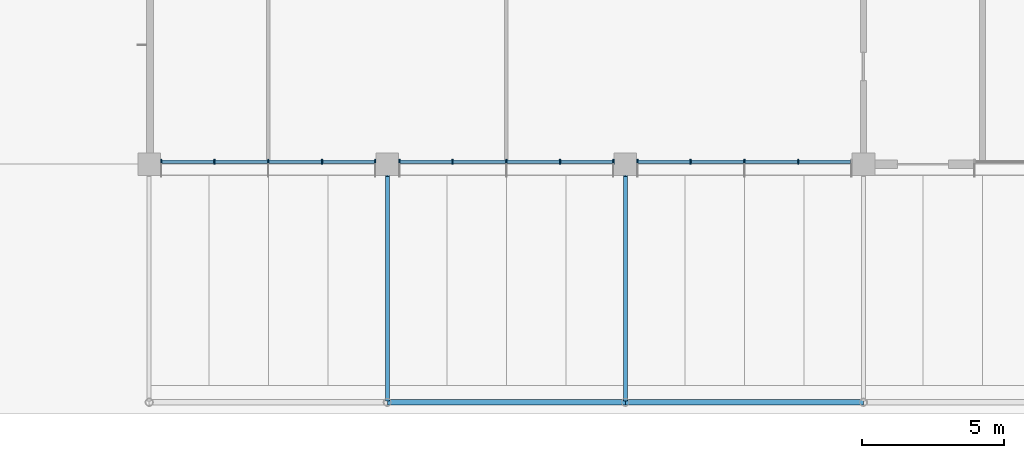
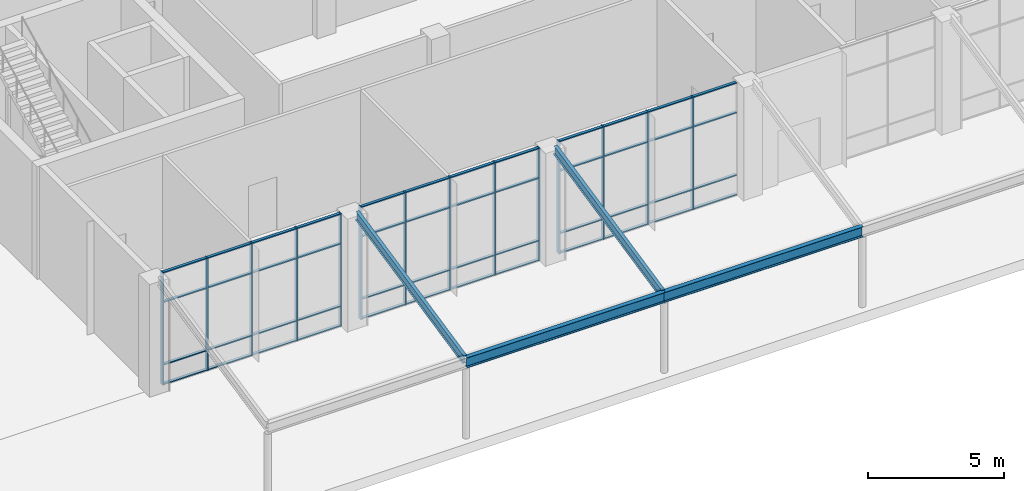
# One storey, part 15 of 76: 62 members, 4 beams, 3 elements without a shape of their own.
"""IFC4 building model written with IfcOpenShell, lengths in metres."""

from ifc_helpers import new_model, si_unit, direction, frame, origin, origin_2d, place, context, subcontext, project, spatial, rectangle, i_section, extrude, material, material_profile, profile_set, type_object, element, aggregate, save


model = new_model("IFC4")

# Units and contexts
model_context = context("Model", 3, precision=1e-05, world=origin(), true_north=direction((0.0, 1.0)))
body_context = subcontext(model_context, "Body", "Model", "MODEL_VIEW")
ifc_project = project(units=[si_unit("LENGTHUNIT", "METRE"), si_unit("AREAUNIT", "SQUARE_METRE"), si_unit("VOLUMEUNIT", "CUBIC_METRE"), si_unit("PLANEANGLEUNIT", "RADIAN"), si_unit("MASSUNIT", "GRAM", prefix="KILO")], contexts=[model_context])

# Site, building, storey
site_placement = place(None, origin())
site = spatial("IfcSite", under=ifc_project, at=site_placement, CompositionType="ELEMENT")
building_placement = place(site_placement, origin())
building = spatial("IfcBuilding", under=site, at=building_placement, Name="Hlaing Beacon Police Headquarters", CompositionType="ELEMENT")
storey_placement = place(building_placement, origin())
storey = spatial("IfcBuildingStorey", under=building, at=storey_placement, Name="L00", CompositionType="ELEMENT", Elevation=0.0)

# Beams
ifc_material_1 = material(Name="Steel ASTM A992 Grade 50", Category="steel")
ifc_material_profile_1 = material_profile(ifc_material_1, i_section(OverallWidth=0.1904296875, OverallDepth=0.457275390625, WebThickness=0.009033203125, FlangeThickness=0.014404296875, FilletRadius=0.01025390625, at=origin_2d()), Name="W18x50")
ifc_profile_set_1 = profile_set([ifc_material_profile_1], Name="Steel ASTM A992 Grade 50")
beam_type_1 = type_object("IfcBeamType", Name="Colonnade head beam W18x50", PredefinedType="BEAM", material=ifc_profile_set_1)
beam_1_placement = place(storey_placement, frame((16.800048828125, 0.0, 3.371337890625), z_axis=(1.0, 0.0, 0.0), x_axis=(0.0, 1.0, 0.0)))
element("IfcBeam", 1, at=beam_1_placement, inside=storey, type_object=beam_type_1, Name="STR-CL-CL1-HB02", PredefinedType="BEAM", context=body_context, shape_type="SweptSolid", body=[
    extrude(i_section(OverallWidth=0.1904296875, OverallDepth=0.457275390625, WebThickness=0.009033203125, FlangeThickness=0.014404296875, FilletRadius=0.01025390625, at=origin_2d()), origin(), (0.0, 0.0, 1.0), 8.39990234375),
])
beam_2_placement = place(storey_placement, frame((25.199951171875, 0.0, 3.371337890625), z_axis=(1.0, 0.0, 0.0), x_axis=(0.0, 1.0, 0.0)))
element("IfcBeam", 2, at=beam_2_placement, inside=storey, type_object=beam_type_1, Name="STR-CL-CL1-HB03", PredefinedType="BEAM", context=body_context, shape_type="SweptSolid", body=[
    extrude(i_section(OverallWidth=0.1904296875, OverallDepth=0.457275390625, WebThickness=0.009033203125, FlangeThickness=0.014404296875, FilletRadius=0.01025390625, at=origin_2d()), origin(), (0.0, 0.0, 1.0), 8.400146484375),
])
ifc_material_2 = material(Name="Steel ASTM A992 Grade 50", Category="steel")
ifc_material_profile_2 = material_profile(ifc_material_2, i_section(OverallWidth=0.140380859375, OverallDepth=0.40380859375, WebThickness=0.007080078125, FlangeThickness=0.01123046875, FilletRadius=0.01025390625, at=origin_2d()), Name="W16x31")
ifc_profile_set_2 = profile_set([ifc_material_profile_2], Name="Steel ASTM A992 Grade 50")
beam_type_2 = type_object("IfcBeamType", Name="Colonnade rafter W16x31", PredefinedType="BEAM", material=ifc_profile_set_2)
for number, where, z_axis, x_axis, name in (
    (3, (16.800048828125, 0.09521484375, 3.413818359375), (0.0, 0.97779711045, 0.209553837464), (-1.0, 0.0, 0.0), "STR-CL-CL1-RF02"),
    (4, (25.199951171875, 0.09521484375, 3.413818359375), (0.0, 0.97779711045, 0.209553837464), (-1.0, 0.0, 0.0), "STR-CL-CL1-RF03"),
):
    element("IfcBeam", number, at=place(storey_placement, frame(where, z_axis=z_axis, x_axis=x_axis)), inside=storey, type_object=beam_type_2, Name=name, PredefinedType="BEAM", context=body_context, shape_type="SweptSolid", body=[
        extrude(i_section(OverallWidth=0.140380859375, OverallDepth=0.40380859375, WebThickness=0.007080078125, FlangeThickness=0.01123046875, FilletRadius=0.01025390625, at=origin_2d()), origin(), (0.0, 0.0, 1.0), 8.084228515625),
    ])

# Curtain wall, members
ifc_material_3 = material(Name="Aluminium frame with solar control glazing", Category="aluminium")
curtain_wall_type = type_object("IfcCurtainWallType", Name="Shopfront glazing 7.60 x 5.05", PredefinedType="NOTDEFINED", material=ifc_material_3)
curtain_wall_1_placement = place(storey_placement, origin())
curtain_wall_1 = element("IfcCurtainWall", 5, at=curtain_wall_1_placement, inside=storey, type_object=curtain_wall_type, Name="ENV-CW-L00-S003", PredefinedType="NOTDEFINED")
ifc_material_4 = material(Name="Aluminium", Category="aluminium")
ifc_material_profile_3 = material_profile(ifc_material_4, rectangle(XDim=0.179931640625, YDim=0.050048828125, at=origin_2d()), Name="Mullion 50x180")
ifc_profile_set_3 = profile_set([ifc_material_profile_3], Name="Aluminium")
member_type_1 = type_object("IfcMemberType", Name="Mullion 50x180", PredefinedType="MULLION", material=ifc_profile_set_3)
member_1_placement = place(storey_placement, frame((8.824951171875, 8.489990234375, 0.0), z_axis=(0.0, 0.0, 1.0), x_axis=(0.0, 1.0, 0.0)))
member_1 = element("IfcMember", 6, at=member_1_placement, type_object=member_type_1, Name="CW-L00-S003 mullion 1", PredefinedType="MULLION", context=body_context, shape_type="SweptSolid", body=[
    extrude(rectangle(XDim=0.179931640625, YDim=0.050048828125, at=origin_2d()), origin(), (0.0, 0.0, 1.0), 5.050048828125),
])
member_2_placement = place(storey_placement, frame((10.699951171875, 8.489990234375, 0.0), z_axis=(0.0, 0.0, 1.0), x_axis=(0.0, 1.0, 0.0)))
member_2 = element("IfcMember", 7, at=member_2_placement, type_object=member_type_1, Name="CW-L00-S003 mullion 2", PredefinedType="MULLION", context=body_context, shape_type="SweptSolid", body=[
    extrude(rectangle(XDim=0.179931640625, YDim=0.050048828125, at=origin_2d()), origin(), (0.0, 0.0, 1.0), 5.050048828125),
])
member_3_placement = place(storey_placement, frame((12.60009765625, 8.489990234375, 0.0), z_axis=(0.0, 0.0, 1.0), x_axis=(0.0, 1.0, 0.0)))
member_3 = element("IfcMember", 8, at=member_3_placement, type_object=member_type_1, Name="CW-L00-S003 mullion 3", PredefinedType="MULLION", context=body_context, shape_type="SweptSolid", body=[
    extrude(rectangle(XDim=0.179931640625, YDim=0.050048828125, at=origin_2d()), origin(), (0.0, 0.0, 1.0), 5.050048828125),
])
member_4_placement = place(storey_placement, frame((14.5, 8.489990234375, 0.0), z_axis=(0.0, 0.0, 1.0), x_axis=(0.0, 1.0, 0.0)))
member_4 = element("IfcMember", 9, at=member_4_placement, type_object=member_type_1, Name="CW-L00-S003 mullion 4", PredefinedType="MULLION", context=body_context, shape_type="SweptSolid", body=[
    extrude(rectangle(XDim=0.179931640625, YDim=0.050048828125, at=origin_2d()), origin(), (0.0, 0.0, 1.0), 5.050048828125),
])
member_5_placement = place(storey_placement, frame((16.375, 8.489990234375, 0.0), z_axis=(0.0, 0.0, 1.0), x_axis=(0.0, 1.0, 0.0)))
member_5 = element("IfcMember", 10, at=member_5_placement, type_object=member_type_1, Name="CW-L00-S003 mullion 5", PredefinedType="MULLION", context=body_context, shape_type="SweptSolid", body=[
    extrude(rectangle(XDim=0.179931640625, YDim=0.050048828125, at=origin_2d()), origin(), (0.0, 0.0, 1.0), 5.050048828125),
])

curtain_wall_2_placement = place(storey_placement, origin())
curtain_wall_2 = element("IfcCurtainWall", 11, at=curtain_wall_2_placement, inside=storey, type_object=curtain_wall_type, Name="ENV-CW-L00-S004", PredefinedType="NOTDEFINED")
member_6_placement = place(storey_placement, frame((17.22509765625, 8.489990234375, 0.0), z_axis=(0.0, 0.0, 1.0), x_axis=(0.0, 1.0, 0.0)))
member_6 = element("IfcMember", 12, at=member_6_placement, type_object=member_type_1, Name="CW-L00-S004 mullion 1", PredefinedType="MULLION", context=body_context, shape_type="SweptSolid", body=[
    extrude(rectangle(XDim=0.179931640625, YDim=0.050048828125, at=origin_2d()), origin(), (0.0, 0.0, 1.0), 5.050048828125),
])
member_7_placement = place(storey_placement, frame((19.10009765625, 8.489990234375, 0.0), z_axis=(0.0, 0.0, 1.0), x_axis=(0.0, 1.0, 0.0)))
member_7 = element("IfcMember", 13, at=member_7_placement, type_object=member_type_1, Name="CW-L00-S004 mullion 2", PredefinedType="MULLION", context=body_context, shape_type="SweptSolid", body=[
    extrude(rectangle(XDim=0.179931640625, YDim=0.050048828125, at=origin_2d()), origin(), (0.0, 0.0, 1.0), 5.050048828125),
])
member_8_placement = place(storey_placement, frame((21.0, 8.489990234375, 0.0), z_axis=(0.0, 0.0, 1.0), x_axis=(0.0, 1.0, 0.0)))
member_8 = element("IfcMember", 14, at=member_8_placement, type_object=member_type_1, Name="CW-L00-S004 mullion 3", PredefinedType="MULLION", context=body_context, shape_type="SweptSolid", body=[
    extrude(rectangle(XDim=0.179931640625, YDim=0.050048828125, at=origin_2d()), origin(), (0.0, 0.0, 1.0), 5.050048828125),
])
member_9_placement = place(storey_placement, frame((22.89990234375, 8.489990234375, 0.0), z_axis=(0.0, 0.0, 1.0), x_axis=(0.0, 1.0, 0.0)))
member_9 = element("IfcMember", 15, at=member_9_placement, type_object=member_type_1, Name="CW-L00-S004 mullion 4", PredefinedType="MULLION", context=body_context, shape_type="SweptSolid", body=[
    extrude(rectangle(XDim=0.179931640625, YDim=0.050048828125, at=origin_2d()), origin(), (0.0, 0.0, 1.0), 5.050048828125),
])
member_10_placement = place(storey_placement, frame((24.77490234375, 8.489990234375, 0.0), z_axis=(0.0, 0.0, 1.0), x_axis=(0.0, 1.0, 0.0)))
member_10 = element("IfcMember", 16, at=member_10_placement, type_object=member_type_1, Name="CW-L00-S004 mullion 5", PredefinedType="MULLION", context=body_context, shape_type="SweptSolid", body=[
    extrude(rectangle(XDim=0.179931640625, YDim=0.050048828125, at=origin_2d()), origin(), (0.0, 0.0, 1.0), 5.050048828125),
])

curtain_wall_3_placement = place(storey_placement, origin())
curtain_wall_3 = element("IfcCurtainWall", 17, at=curtain_wall_3_placement, inside=storey, type_object=curtain_wall_type, Name="ENV-CW-L00-S005", PredefinedType="NOTDEFINED")
member_11_placement = place(storey_placement, frame((25.625, 8.489990234375, 0.0), z_axis=(0.0, 0.0, 1.0), x_axis=(0.0, 1.0, 0.0)))
member_11 = element("IfcMember", 18, at=member_11_placement, type_object=member_type_1, Name="CW-L00-S005 mullion 1", PredefinedType="MULLION", context=body_context, shape_type="SweptSolid", body=[
    extrude(rectangle(XDim=0.179931640625, YDim=0.050048828125, at=origin_2d()), origin(), (0.0, 0.0, 1.0), 5.050048828125),
])
member_12_placement = place(storey_placement, frame((27.5, 8.489990234375, 0.0), z_axis=(0.0, 0.0, 1.0), x_axis=(0.0, 1.0, 0.0)))
member_12 = element("IfcMember", 19, at=member_12_placement, type_object=member_type_1, Name="CW-L00-S005 mullion 2", PredefinedType="MULLION", context=body_context, shape_type="SweptSolid", body=[
    extrude(rectangle(XDim=0.179931640625, YDim=0.050048828125, at=origin_2d()), origin(), (0.0, 0.0, 1.0), 5.050048828125),
])
member_13_placement = place(storey_placement, frame((29.39990234375, 8.489990234375, 0.0), z_axis=(0.0, 0.0, 1.0), x_axis=(0.0, 1.0, 0.0)))
member_13 = element("IfcMember", 20, at=member_13_placement, type_object=member_type_1, Name="CW-L00-S005 mullion 3", PredefinedType="MULLION", context=body_context, shape_type="SweptSolid", body=[
    extrude(rectangle(XDim=0.179931640625, YDim=0.050048828125, at=origin_2d()), origin(), (0.0, 0.0, 1.0), 5.050048828125),
])
member_14_placement = place(storey_placement, frame((31.300048828125, 8.489990234375, 0.0), z_axis=(0.0, 0.0, 1.0), x_axis=(0.0, 1.0, 0.0)))
member_14 = element("IfcMember", 21, at=member_14_placement, type_object=member_type_1, Name="CW-L00-S005 mullion 4", PredefinedType="MULLION", context=body_context, shape_type="SweptSolid", body=[
    extrude(rectangle(XDim=0.179931640625, YDim=0.050048828125, at=origin_2d()), origin(), (0.0, 0.0, 1.0), 5.050048828125),
])

# Member
ifc_material_5 = material(Name="Aluminium", Category="aluminium")
ifc_material_profile_4 = material_profile(ifc_material_5, rectangle(XDim=0.1201171875, YDim=0.050048828125, at=origin_2d()), Name="Transom 120x50")
ifc_profile_set_4 = profile_set([ifc_material_profile_4], Name="Aluminium")
member_type_2 = type_object("IfcMemberType", Name="Transom 120x50", PredefinedType="USERDEFINED", material=ifc_profile_set_4)
member_15_placement = place(storey_placement, frame((8.85009765625, 8.489990234375, 0.02490234375), z_axis=(1.0, 0.0, 0.0), x_axis=(0.0, 1.0, 0.0)))
member_15 = element("IfcMember", 22, at=member_15_placement, type_object=member_type_2, Name="CW-L00-S003 transom 1.1", ObjectType="TRANSOM", PredefinedType="USERDEFINED", context=body_context, shape_type="SweptSolid", body=[
    extrude(rectangle(XDim=0.1201171875, YDim=0.050048828125, at=origin_2d()), origin(), (0.0, 0.0, 1.0), 1.824951171875),
])

member_16_placement = place(storey_placement, frame((8.85009765625, 8.489990234375, 0.89990234375), z_axis=(1.0, 0.0, 0.0), x_axis=(0.0, 1.0, 0.0)))
member_16 = element("IfcMember", 23, at=member_16_placement, type_object=member_type_2, Name="CW-L00-S003 transom 1.2", ObjectType="TRANSOM", PredefinedType="USERDEFINED", context=body_context, shape_type="SweptSolid", body=[
    extrude(rectangle(XDim=0.1201171875, YDim=0.050048828125, at=origin_2d()), origin(), (0.0, 0.0, 1.0), 1.824951171875),
])

member_17_placement = place(storey_placement, frame((8.85009765625, 8.489990234375, 3.699951171875), z_axis=(1.0, 0.0, 0.0), x_axis=(0.0, 1.0, 0.0)))
member_17 = element("IfcMember", 24, at=member_17_placement, type_object=member_type_2, Name="CW-L00-S003 transom 1.3", ObjectType="TRANSOM", PredefinedType="USERDEFINED", context=body_context, shape_type="SweptSolid", body=[
    extrude(rectangle(XDim=0.1201171875, YDim=0.050048828125, at=origin_2d()), origin(), (0.0, 0.0, 1.0), 1.824951171875),
])

member_18_placement = place(storey_placement, frame((8.85009765625, 8.489990234375, 5.02490234375), z_axis=(1.0, 0.0, 0.0), x_axis=(0.0, 1.0, 0.0)))
member_18 = element("IfcMember", 25, at=member_18_placement, type_object=member_type_2, Name="CW-L00-S003 transom 1.4", ObjectType="TRANSOM", PredefinedType="USERDEFINED", context=body_context, shape_type="SweptSolid", body=[
    extrude(rectangle(XDim=0.1201171875, YDim=0.050048828125, at=origin_2d()), origin(), (0.0, 0.0, 1.0), 1.824951171875),
])

member_19_placement = place(storey_placement, frame((10.72509765625, 8.489990234375, 0.02490234375), z_axis=(1.0, 0.0, 0.0), x_axis=(0.0, 1.0, 0.0)))
member_19 = element("IfcMember", 26, at=member_19_placement, type_object=member_type_2, Name="CW-L00-S003 transom 2.1", ObjectType="TRANSOM", PredefinedType="USERDEFINED", context=body_context, shape_type="SweptSolid", body=[
    extrude(rectangle(XDim=0.1201171875, YDim=0.050048828125, at=origin_2d()), origin(), (0.0, 0.0, 1.0), 1.849853515625),
])

member_20_placement = place(storey_placement, frame((10.72509765625, 8.489990234375, 0.89990234375), z_axis=(1.0, 0.0, 0.0), x_axis=(0.0, 1.0, 0.0)))
member_20 = element("IfcMember", 27, at=member_20_placement, type_object=member_type_2, Name="CW-L00-S003 transom 2.2", ObjectType="TRANSOM", PredefinedType="USERDEFINED", context=body_context, shape_type="SweptSolid", body=[
    extrude(rectangle(XDim=0.1201171875, YDim=0.050048828125, at=origin_2d()), origin(), (0.0, 0.0, 1.0), 1.849853515625),
])

member_21_placement = place(storey_placement, frame((10.72509765625, 8.489990234375, 3.699951171875), z_axis=(1.0, 0.0, 0.0), x_axis=(0.0, 1.0, 0.0)))
member_21 = element("IfcMember", 28, at=member_21_placement, type_object=member_type_2, Name="CW-L00-S003 transom 2.3", ObjectType="TRANSOM", PredefinedType="USERDEFINED", context=body_context, shape_type="SweptSolid", body=[
    extrude(rectangle(XDim=0.1201171875, YDim=0.050048828125, at=origin_2d()), origin(), (0.0, 0.0, 1.0), 1.849853515625),
])

member_22_placement = place(storey_placement, frame((10.72509765625, 8.489990234375, 5.02490234375), z_axis=(1.0, 0.0, 0.0), x_axis=(0.0, 1.0, 0.0)))
member_22 = element("IfcMember", 29, at=member_22_placement, type_object=member_type_2, Name="CW-L00-S003 transom 2.4", ObjectType="TRANSOM", PredefinedType="USERDEFINED", context=body_context, shape_type="SweptSolid", body=[
    extrude(rectangle(XDim=0.1201171875, YDim=0.050048828125, at=origin_2d()), origin(), (0.0, 0.0, 1.0), 1.849853515625),
])

member_23_placement = place(storey_placement, frame((12.625, 8.489990234375, 0.02490234375), z_axis=(1.0, 0.0, 0.0), x_axis=(0.0, 1.0, 0.0)))
member_23 = element("IfcMember", 30, at=member_23_placement, type_object=member_type_2, Name="CW-L00-S003 transom 3.1", ObjectType="TRANSOM", PredefinedType="USERDEFINED", context=body_context, shape_type="SweptSolid", body=[
    extrude(rectangle(XDim=0.1201171875, YDim=0.050048828125, at=origin_2d()), origin(), (0.0, 0.0, 1.0), 1.85009765625),
])

member_24_placement = place(storey_placement, frame((12.625, 8.489990234375, 0.89990234375), z_axis=(1.0, 0.0, 0.0), x_axis=(0.0, 1.0, 0.0)))
member_24 = element("IfcMember", 31, at=member_24_placement, type_object=member_type_2, Name="CW-L00-S003 transom 3.2", ObjectType="TRANSOM", PredefinedType="USERDEFINED", context=body_context, shape_type="SweptSolid", body=[
    extrude(rectangle(XDim=0.1201171875, YDim=0.050048828125, at=origin_2d()), origin(), (0.0, 0.0, 1.0), 1.85009765625),
])

member_25_placement = place(storey_placement, frame((12.625, 8.489990234375, 3.699951171875), z_axis=(1.0, 0.0, 0.0), x_axis=(0.0, 1.0, 0.0)))
member_25 = element("IfcMember", 32, at=member_25_placement, type_object=member_type_2, Name="CW-L00-S003 transom 3.3", ObjectType="TRANSOM", PredefinedType="USERDEFINED", context=body_context, shape_type="SweptSolid", body=[
    extrude(rectangle(XDim=0.1201171875, YDim=0.050048828125, at=origin_2d()), origin(), (0.0, 0.0, 1.0), 1.85009765625),
])

member_26_placement = place(storey_placement, frame((12.625, 8.489990234375, 5.02490234375), z_axis=(1.0, 0.0, 0.0), x_axis=(0.0, 1.0, 0.0)))
member_26 = element("IfcMember", 33, at=member_26_placement, type_object=member_type_2, Name="CW-L00-S003 transom 3.4", ObjectType="TRANSOM", PredefinedType="USERDEFINED", context=body_context, shape_type="SweptSolid", body=[
    extrude(rectangle(XDim=0.1201171875, YDim=0.050048828125, at=origin_2d()), origin(), (0.0, 0.0, 1.0), 1.85009765625),
])

member_27_placement = place(storey_placement, frame((14.52490234375, 8.489990234375, 0.02490234375), z_axis=(1.0, 0.0, 0.0), x_axis=(0.0, 1.0, 0.0)))
member_27 = element("IfcMember", 34, at=member_27_placement, type_object=member_type_2, Name="CW-L00-S003 transom 4.1", ObjectType="TRANSOM", PredefinedType="USERDEFINED", context=body_context, shape_type="SweptSolid", body=[
    extrude(rectangle(XDim=0.1201171875, YDim=0.050048828125, at=origin_2d()), origin(), (0.0, 0.0, 1.0), 1.8251953125),
])

member_28_placement = place(storey_placement, frame((14.52490234375, 8.489990234375, 0.89990234375), z_axis=(1.0, 0.0, 0.0), x_axis=(0.0, 1.0, 0.0)))
member_28 = element("IfcMember", 35, at=member_28_placement, type_object=member_type_2, Name="CW-L00-S003 transom 4.2", ObjectType="TRANSOM", PredefinedType="USERDEFINED", context=body_context, shape_type="SweptSolid", body=[
    extrude(rectangle(XDim=0.1201171875, YDim=0.050048828125, at=origin_2d()), origin(), (0.0, 0.0, 1.0), 1.8251953125),
])

member_29_placement = place(storey_placement, frame((14.52490234375, 8.489990234375, 3.699951171875), z_axis=(1.0, 0.0, 0.0), x_axis=(0.0, 1.0, 0.0)))
member_29 = element("IfcMember", 36, at=member_29_placement, type_object=member_type_2, Name="CW-L00-S003 transom 4.3", ObjectType="TRANSOM", PredefinedType="USERDEFINED", context=body_context, shape_type="SweptSolid", body=[
    extrude(rectangle(XDim=0.1201171875, YDim=0.050048828125, at=origin_2d()), origin(), (0.0, 0.0, 1.0), 1.8251953125),
])

member_30_placement = place(storey_placement, frame((14.52490234375, 8.489990234375, 5.02490234375), z_axis=(1.0, 0.0, 0.0), x_axis=(0.0, 1.0, 0.0)))
member_30 = element("IfcMember", 37, at=member_30_placement, type_object=member_type_2, Name="CW-L00-S003 transom 4.4", ObjectType="TRANSOM", PredefinedType="USERDEFINED", context=body_context, shape_type="SweptSolid", body=[
    extrude(rectangle(XDim=0.1201171875, YDim=0.050048828125, at=origin_2d()), origin(), (0.0, 0.0, 1.0), 1.8251953125),
])

aggregate(curtain_wall_1, [member_1, member_2, member_3, member_4, member_5, member_15, member_16, member_17, member_18, member_19, member_20, member_21, member_22, member_23, member_24, member_25, member_26, member_27, member_28, member_29, member_30])

member_31_placement = place(storey_placement, frame((17.25, 8.489990234375, 0.02490234375), z_axis=(1.0, 0.0, 0.0), x_axis=(0.0, 1.0, 0.0)))
member_31 = element("IfcMember", 38, at=member_31_placement, type_object=member_type_2, Name="CW-L00-S004 transom 1.1", ObjectType="TRANSOM", PredefinedType="USERDEFINED", context=body_context, shape_type="SweptSolid", body=[
    extrude(rectangle(XDim=0.1201171875, YDim=0.050048828125, at=origin_2d()), origin(), (0.0, 0.0, 1.0), 1.824951171875),
])

member_32_placement = place(storey_placement, frame((17.25, 8.489990234375, 0.89990234375), z_axis=(1.0, 0.0, 0.0), x_axis=(0.0, 1.0, 0.0)))
member_32 = element("IfcMember", 39, at=member_32_placement, type_object=member_type_2, Name="CW-L00-S004 transom 1.2", ObjectType="TRANSOM", PredefinedType="USERDEFINED", context=body_context, shape_type="SweptSolid", body=[
    extrude(rectangle(XDim=0.1201171875, YDim=0.050048828125, at=origin_2d()), origin(), (0.0, 0.0, 1.0), 1.824951171875),
])

member_33_placement = place(storey_placement, frame((17.25, 8.489990234375, 3.699951171875), z_axis=(1.0, 0.0, 0.0), x_axis=(0.0, 1.0, 0.0)))
member_33 = element("IfcMember", 40, at=member_33_placement, type_object=member_type_2, Name="CW-L00-S004 transom 1.3", ObjectType="TRANSOM", PredefinedType="USERDEFINED", context=body_context, shape_type="SweptSolid", body=[
    extrude(rectangle(XDim=0.1201171875, YDim=0.050048828125, at=origin_2d()), origin(), (0.0, 0.0, 1.0), 1.824951171875),
])

member_34_placement = place(storey_placement, frame((17.25, 8.489990234375, 5.02490234375), z_axis=(1.0, 0.0, 0.0), x_axis=(0.0, 1.0, 0.0)))
member_34 = element("IfcMember", 41, at=member_34_placement, type_object=member_type_2, Name="CW-L00-S004 transom 1.4", ObjectType="TRANSOM", PredefinedType="USERDEFINED", context=body_context, shape_type="SweptSolid", body=[
    extrude(rectangle(XDim=0.1201171875, YDim=0.050048828125, at=origin_2d()), origin(), (0.0, 0.0, 1.0), 1.824951171875),
])

member_35_placement = place(storey_placement, frame((19.125, 8.489990234375, 0.02490234375), z_axis=(1.0, 0.0, 0.0), x_axis=(0.0, 1.0, 0.0)))
member_35 = element("IfcMember", 42, at=member_35_placement, type_object=member_type_2, Name="CW-L00-S004 transom 2.1", ObjectType="TRANSOM", PredefinedType="USERDEFINED", context=body_context, shape_type="SweptSolid", body=[
    extrude(rectangle(XDim=0.1201171875, YDim=0.050048828125, at=origin_2d()), origin(), (0.0, 0.0, 1.0), 1.85009765625),
])

member_36_placement = place(storey_placement, frame((19.125, 8.489990234375, 0.89990234375), z_axis=(1.0, 0.0, 0.0), x_axis=(0.0, 1.0, 0.0)))
member_36 = element("IfcMember", 43, at=member_36_placement, type_object=member_type_2, Name="CW-L00-S004 transom 2.2", ObjectType="TRANSOM", PredefinedType="USERDEFINED", context=body_context, shape_type="SweptSolid", body=[
    extrude(rectangle(XDim=0.1201171875, YDim=0.050048828125, at=origin_2d()), origin(), (0.0, 0.0, 1.0), 1.85009765625),
])

member_37_placement = place(storey_placement, frame((19.125, 8.489990234375, 3.699951171875), z_axis=(1.0, 0.0, 0.0), x_axis=(0.0, 1.0, 0.0)))
member_37 = element("IfcMember", 44, at=member_37_placement, type_object=member_type_2, Name="CW-L00-S004 transom 2.3", ObjectType="TRANSOM", PredefinedType="USERDEFINED", context=body_context, shape_type="SweptSolid", body=[
    extrude(rectangle(XDim=0.1201171875, YDim=0.050048828125, at=origin_2d()), origin(), (0.0, 0.0, 1.0), 1.85009765625),
])

member_38_placement = place(storey_placement, frame((19.125, 8.489990234375, 5.02490234375), z_axis=(1.0, 0.0, 0.0), x_axis=(0.0, 1.0, 0.0)))
member_38 = element("IfcMember", 45, at=member_38_placement, type_object=member_type_2, Name="CW-L00-S004 transom 2.4", ObjectType="TRANSOM", PredefinedType="USERDEFINED", context=body_context, shape_type="SweptSolid", body=[
    extrude(rectangle(XDim=0.1201171875, YDim=0.050048828125, at=origin_2d()), origin(), (0.0, 0.0, 1.0), 1.85009765625),
])

member_39_placement = place(storey_placement, frame((21.02490234375, 8.489990234375, 0.02490234375), z_axis=(1.0, 0.0, 0.0), x_axis=(0.0, 1.0, 0.0)))
member_39 = element("IfcMember", 46, at=member_39_placement, type_object=member_type_2, Name="CW-L00-S004 transom 3.1", ObjectType="TRANSOM", PredefinedType="USERDEFINED", context=body_context, shape_type="SweptSolid", body=[
    extrude(rectangle(XDim=0.1201171875, YDim=0.050048828125, at=origin_2d()), origin(), (0.0, 0.0, 1.0), 1.85009765625),
])

member_40_placement = place(storey_placement, frame((21.02490234375, 8.489990234375, 0.89990234375), z_axis=(1.0, 0.0, 0.0), x_axis=(0.0, 1.0, 0.0)))
member_40 = element("IfcMember", 47, at=member_40_placement, type_object=member_type_2, Name="CW-L00-S004 transom 3.2", ObjectType="TRANSOM", PredefinedType="USERDEFINED", context=body_context, shape_type="SweptSolid", body=[
    extrude(rectangle(XDim=0.1201171875, YDim=0.050048828125, at=origin_2d()), origin(), (0.0, 0.0, 1.0), 1.85009765625),
])

member_41_placement = place(storey_placement, frame((21.02490234375, 8.489990234375, 3.699951171875), z_axis=(1.0, 0.0, 0.0), x_axis=(0.0, 1.0, 0.0)))
member_41 = element("IfcMember", 48, at=member_41_placement, type_object=member_type_2, Name="CW-L00-S004 transom 3.3", ObjectType="TRANSOM", PredefinedType="USERDEFINED", context=body_context, shape_type="SweptSolid", body=[
    extrude(rectangle(XDim=0.1201171875, YDim=0.050048828125, at=origin_2d()), origin(), (0.0, 0.0, 1.0), 1.85009765625),
])

member_42_placement = place(storey_placement, frame((21.02490234375, 8.489990234375, 5.02490234375), z_axis=(1.0, 0.0, 0.0), x_axis=(0.0, 1.0, 0.0)))
member_42 = element("IfcMember", 49, at=member_42_placement, type_object=member_type_2, Name="CW-L00-S004 transom 3.4", ObjectType="TRANSOM", PredefinedType="USERDEFINED", context=body_context, shape_type="SweptSolid", body=[
    extrude(rectangle(XDim=0.1201171875, YDim=0.050048828125, at=origin_2d()), origin(), (0.0, 0.0, 1.0), 1.85009765625),
])

member_43_placement = place(storey_placement, frame((22.925048828125, 8.489990234375, 0.02490234375), z_axis=(1.0, 0.0, 0.0), x_axis=(0.0, 1.0, 0.0)))
member_43 = element("IfcMember", 50, at=member_43_placement, type_object=member_type_2, Name="CW-L00-S004 transom 4.1", ObjectType="TRANSOM", PredefinedType="USERDEFINED", context=body_context, shape_type="SweptSolid", body=[
    extrude(rectangle(XDim=0.1201171875, YDim=0.050048828125, at=origin_2d()), origin(), (0.0, 0.0, 1.0), 1.824951171875),
])

member_44_placement = place(storey_placement, frame((22.925048828125, 8.489990234375, 0.89990234375), z_axis=(1.0, 0.0, 0.0), x_axis=(0.0, 1.0, 0.0)))
member_44 = element("IfcMember", 51, at=member_44_placement, type_object=member_type_2, Name="CW-L00-S004 transom 4.2", ObjectType="TRANSOM", PredefinedType="USERDEFINED", context=body_context, shape_type="SweptSolid", body=[
    extrude(rectangle(XDim=0.1201171875, YDim=0.050048828125, at=origin_2d()), origin(), (0.0, 0.0, 1.0), 1.824951171875),
])

member_45_placement = place(storey_placement, frame((22.925048828125, 8.489990234375, 3.699951171875), z_axis=(1.0, 0.0, 0.0), x_axis=(0.0, 1.0, 0.0)))
member_45 = element("IfcMember", 52, at=member_45_placement, type_object=member_type_2, Name="CW-L00-S004 transom 4.3", ObjectType="TRANSOM", PredefinedType="USERDEFINED", context=body_context, shape_type="SweptSolid", body=[
    extrude(rectangle(XDim=0.1201171875, YDim=0.050048828125, at=origin_2d()), origin(), (0.0, 0.0, 1.0), 1.824951171875),
])

member_46_placement = place(storey_placement, frame((22.925048828125, 8.489990234375, 5.02490234375), z_axis=(1.0, 0.0, 0.0), x_axis=(0.0, 1.0, 0.0)))
member_46 = element("IfcMember", 53, at=member_46_placement, type_object=member_type_2, Name="CW-L00-S004 transom 4.4", ObjectType="TRANSOM", PredefinedType="USERDEFINED", context=body_context, shape_type="SweptSolid", body=[
    extrude(rectangle(XDim=0.1201171875, YDim=0.050048828125, at=origin_2d()), origin(), (0.0, 0.0, 1.0), 1.824951171875),
])

aggregate(curtain_wall_2, [member_6, member_7, member_8, member_9, member_10, member_31, member_32, member_33, member_34, member_35, member_36, member_37, member_38, member_39, member_40, member_41, member_42, member_43, member_44, member_45, member_46])

member_47_placement = place(storey_placement, frame((25.64990234375, 8.489990234375, 0.02490234375), z_axis=(1.0, 0.0, 0.0), x_axis=(0.0, 1.0, 0.0)))
member_47 = element("IfcMember", 54, at=member_47_placement, type_object=member_type_2, Name="CW-L00-S005 transom 1.1", ObjectType="TRANSOM", PredefinedType="USERDEFINED", context=body_context, shape_type="SweptSolid", body=[
    extrude(rectangle(XDim=0.1201171875, YDim=0.050048828125, at=origin_2d()), origin(), (0.0, 0.0, 1.0), 1.8251953125),
])

member_48_placement = place(storey_placement, frame((25.64990234375, 8.489990234375, 0.89990234375), z_axis=(1.0, 0.0, 0.0), x_axis=(0.0, 1.0, 0.0)))
member_48 = element("IfcMember", 55, at=member_48_placement, type_object=member_type_2, Name="CW-L00-S005 transom 1.2", ObjectType="TRANSOM", PredefinedType="USERDEFINED", context=body_context, shape_type="SweptSolid", body=[
    extrude(rectangle(XDim=0.1201171875, YDim=0.050048828125, at=origin_2d()), origin(), (0.0, 0.0, 1.0), 1.8251953125),
])

member_49_placement = place(storey_placement, frame((25.64990234375, 8.489990234375, 3.699951171875), z_axis=(1.0, 0.0, 0.0), x_axis=(0.0, 1.0, 0.0)))
member_49 = element("IfcMember", 56, at=member_49_placement, type_object=member_type_2, Name="CW-L00-S005 transom 1.3", ObjectType="TRANSOM", PredefinedType="USERDEFINED", context=body_context, shape_type="SweptSolid", body=[
    extrude(rectangle(XDim=0.1201171875, YDim=0.050048828125, at=origin_2d()), origin(), (0.0, 0.0, 1.0), 1.8251953125),
])

member_50_placement = place(storey_placement, frame((25.64990234375, 8.489990234375, 5.02490234375), z_axis=(1.0, 0.0, 0.0), x_axis=(0.0, 1.0, 0.0)))
member_50 = element("IfcMember", 57, at=member_50_placement, type_object=member_type_2, Name="CW-L00-S005 transom 1.4", ObjectType="TRANSOM", PredefinedType="USERDEFINED", context=body_context, shape_type="SweptSolid", body=[
    extrude(rectangle(XDim=0.1201171875, YDim=0.050048828125, at=origin_2d()), origin(), (0.0, 0.0, 1.0), 1.8251953125),
])

member_51_placement = place(storey_placement, frame((27.52490234375, 8.489990234375, 0.02490234375), z_axis=(1.0, 0.0, 0.0), x_axis=(0.0, 1.0, 0.0)))
member_51 = element("IfcMember", 58, at=member_51_placement, type_object=member_type_2, Name="CW-L00-S005 transom 2.1", ObjectType="TRANSOM", PredefinedType="USERDEFINED", context=body_context, shape_type="SweptSolid", body=[
    extrude(rectangle(XDim=0.1201171875, YDim=0.050048828125, at=origin_2d()), origin(), (0.0, 0.0, 1.0), 1.85009765625),
])

member_52_placement = place(storey_placement, frame((27.52490234375, 8.489990234375, 0.89990234375), z_axis=(1.0, 0.0, 0.0), x_axis=(0.0, 1.0, 0.0)))
member_52 = element("IfcMember", 59, at=member_52_placement, type_object=member_type_2, Name="CW-L00-S005 transom 2.2", ObjectType="TRANSOM", PredefinedType="USERDEFINED", context=body_context, shape_type="SweptSolid", body=[
    extrude(rectangle(XDim=0.1201171875, YDim=0.050048828125, at=origin_2d()), origin(), (0.0, 0.0, 1.0), 1.85009765625),
])

member_53_placement = place(storey_placement, frame((27.52490234375, 8.489990234375, 3.699951171875), z_axis=(1.0, 0.0, 0.0), x_axis=(0.0, 1.0, 0.0)))
member_53 = element("IfcMember", 60, at=member_53_placement, type_object=member_type_2, Name="CW-L00-S005 transom 2.3", ObjectType="TRANSOM", PredefinedType="USERDEFINED", context=body_context, shape_type="SweptSolid", body=[
    extrude(rectangle(XDim=0.1201171875, YDim=0.050048828125, at=origin_2d()), origin(), (0.0, 0.0, 1.0), 1.85009765625),
])

member_54_placement = place(storey_placement, frame((27.52490234375, 8.489990234375, 5.02490234375), z_axis=(1.0, 0.0, 0.0), x_axis=(0.0, 1.0, 0.0)))
member_54 = element("IfcMember", 61, at=member_54_placement, type_object=member_type_2, Name="CW-L00-S005 transom 2.4", ObjectType="TRANSOM", PredefinedType="USERDEFINED", context=body_context, shape_type="SweptSolid", body=[
    extrude(rectangle(XDim=0.1201171875, YDim=0.050048828125, at=origin_2d()), origin(), (0.0, 0.0, 1.0), 1.85009765625),
])

member_55_placement = place(storey_placement, frame((29.425048828125, 8.489990234375, 0.02490234375), z_axis=(1.0, 0.0, 0.0), x_axis=(0.0, 1.0, 0.0)))
member_55 = element("IfcMember", 62, at=member_55_placement, type_object=member_type_2, Name="CW-L00-S005 transom 3.1", ObjectType="TRANSOM", PredefinedType="USERDEFINED", context=body_context, shape_type="SweptSolid", body=[
    extrude(rectangle(XDim=0.1201171875, YDim=0.050048828125, at=origin_2d()), origin(), (0.0, 0.0, 1.0), 1.849853515625),
])

member_56_placement = place(storey_placement, frame((29.425048828125, 8.489990234375, 0.89990234375), z_axis=(1.0, 0.0, 0.0), x_axis=(0.0, 1.0, 0.0)))
member_56 = element("IfcMember", 63, at=member_56_placement, type_object=member_type_2, Name="CW-L00-S005 transom 3.2", ObjectType="TRANSOM", PredefinedType="USERDEFINED", context=body_context, shape_type="SweptSolid", body=[
    extrude(rectangle(XDim=0.1201171875, YDim=0.050048828125, at=origin_2d()), origin(), (0.0, 0.0, 1.0), 1.849853515625),
])

member_57_placement = place(storey_placement, frame((29.425048828125, 8.489990234375, 3.699951171875), z_axis=(1.0, 0.0, 0.0), x_axis=(0.0, 1.0, 0.0)))
member_57 = element("IfcMember", 64, at=member_57_placement, type_object=member_type_2, Name="CW-L00-S005 transom 3.3", ObjectType="TRANSOM", PredefinedType="USERDEFINED", context=body_context, shape_type="SweptSolid", body=[
    extrude(rectangle(XDim=0.1201171875, YDim=0.050048828125, at=origin_2d()), origin(), (0.0, 0.0, 1.0), 1.849853515625),
])

member_58_placement = place(storey_placement, frame((29.425048828125, 8.489990234375, 5.02490234375), z_axis=(1.0, 0.0, 0.0), x_axis=(0.0, 1.0, 0.0)))
member_58 = element("IfcMember", 65, at=member_58_placement, type_object=member_type_2, Name="CW-L00-S005 transom 3.4", ObjectType="TRANSOM", PredefinedType="USERDEFINED", context=body_context, shape_type="SweptSolid", body=[
    extrude(rectangle(XDim=0.1201171875, YDim=0.050048828125, at=origin_2d()), origin(), (0.0, 0.0, 1.0), 1.849853515625),
])

member_59_placement = place(storey_placement, frame((31.324951171875, 8.489990234375, 0.02490234375), z_axis=(1.0, 0.0, 0.0), x_axis=(0.0, 1.0, 0.0)))
member_59 = element("IfcMember", 66, at=member_59_placement, type_object=member_type_2, Name="CW-L00-S005 transom 4.1", ObjectType="TRANSOM", PredefinedType="USERDEFINED", context=body_context, shape_type="SweptSolid", body=[
    extrude(rectangle(XDim=0.1201171875, YDim=0.050048828125, at=origin_2d()), origin(), (0.0, 0.0, 1.0), 1.824951171875),
])

member_60_placement = place(storey_placement, frame((31.324951171875, 8.489990234375, 0.89990234375), z_axis=(1.0, 0.0, 0.0), x_axis=(0.0, 1.0, 0.0)))
member_60 = element("IfcMember", 67, at=member_60_placement, type_object=member_type_2, Name="CW-L00-S005 transom 4.2", ObjectType="TRANSOM", PredefinedType="USERDEFINED", context=body_context, shape_type="SweptSolid", body=[
    extrude(rectangle(XDim=0.1201171875, YDim=0.050048828125, at=origin_2d()), origin(), (0.0, 0.0, 1.0), 1.824951171875),
])

member_61_placement = place(storey_placement, frame((31.324951171875, 8.489990234375, 3.699951171875), z_axis=(1.0, 0.0, 0.0), x_axis=(0.0, 1.0, 0.0)))
member_61 = element("IfcMember", 68, at=member_61_placement, type_object=member_type_2, Name="CW-L00-S005 transom 4.3", ObjectType="TRANSOM", PredefinedType="USERDEFINED", context=body_context, shape_type="SweptSolid", body=[
    extrude(rectangle(XDim=0.1201171875, YDim=0.050048828125, at=origin_2d()), origin(), (0.0, 0.0, 1.0), 1.824951171875),
])

member_62_placement = place(storey_placement, frame((31.324951171875, 8.489990234375, 5.02490234375), z_axis=(1.0, 0.0, 0.0), x_axis=(0.0, 1.0, 0.0)))
member_62 = element("IfcMember", 69, at=member_62_placement, type_object=member_type_2, Name="CW-L00-S005 transom 4.4", ObjectType="TRANSOM", PredefinedType="USERDEFINED", context=body_context, shape_type="SweptSolid", body=[
    extrude(rectangle(XDim=0.1201171875, YDim=0.050048828125, at=origin_2d()), origin(), (0.0, 0.0, 1.0), 1.824951171875),
])

aggregate(curtain_wall_3, [member_11, member_12, member_13, member_14, member_47, member_48, member_49, member_50, member_51, member_52, member_53, member_54, member_55, member_56, member_57, member_58, member_59, member_60, member_61, member_62])

save(model, "model.ifc")
